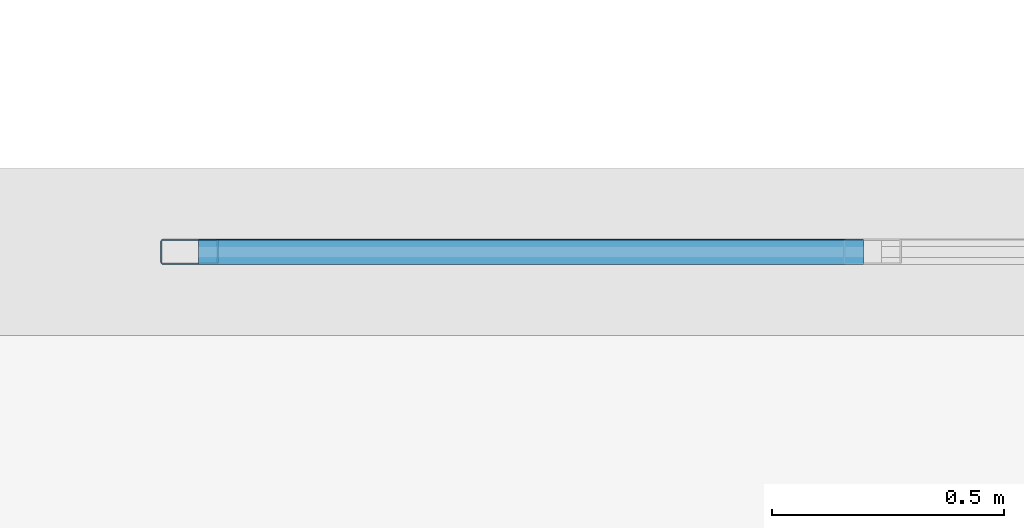
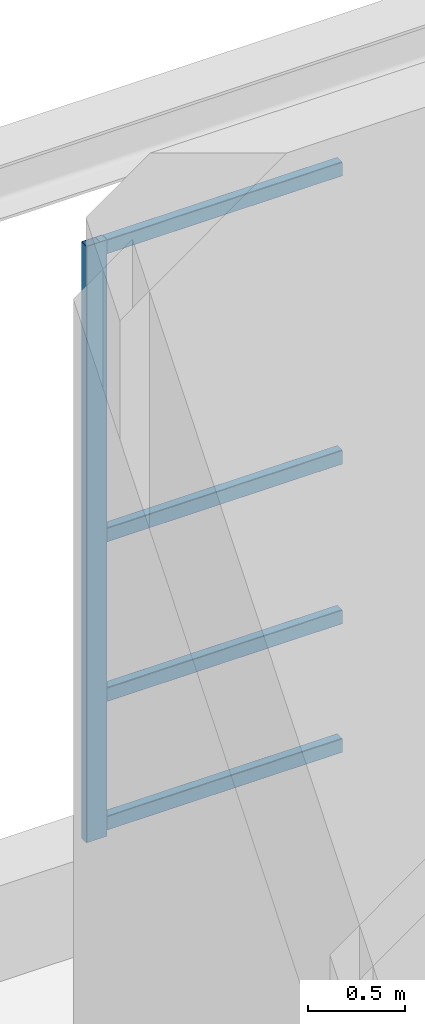
# One storey, part 93 of 197: 5 members, 1 element without a shape of its own.
"""IFC4 building model written with IfcOpenShell, lengths in metres."""

from ifc_helpers import new_model, si_unit, derived_unit, direction, frame, origin, origin_2d, place, context, subcontext, project, spatial, hollow_rectangle, extrude, material, layer, layer_set, material_profile, profile_set, type_object, element, aggregate, save


model = new_model("IFC4")

# Units and contexts
model_context = context("Model", 3, precision=1e-05, world=origin(), true_north=direction((0.0, 1.0)))
body_context = subcontext(model_context, "Body", "Model", "MODEL_VIEW")
ifc_project = project(units=[si_unit("LENGTHUNIT", "METRE"), si_unit("AREAUNIT", "SQUARE_METRE"), si_unit("VOLUMEUNIT", "CUBIC_METRE"), si_unit("PLANEANGLEUNIT", "RADIAN"), si_unit("MASSUNIT", "GRAM", prefix="KILO"), derived_unit("THERMALTRANSMITTANCEUNIT", [(si_unit("POWERUNIT", "WATT"), 1), (si_unit("LENGTHUNIT", "METRE"), -2), (si_unit("THERMODYNAMICTEMPERATUREUNIT", "KELVIN"), -1)])], contexts=[model_context])

# Site, building, storey
site_placement = place(None, origin())
site = spatial("IfcSite", under=ifc_project, at=site_placement, CompositionType="ELEMENT")
building_placement = place(site_placement, origin())
building = spatial("IfcBuilding", under=site, at=building_placement, Name="Almenara Railside Exhibition Hall", CompositionType="ELEMENT")
storey_placement = place(building_placement, frame((0.0, 0.0, 5.39990234375)))
storey = spatial("IfcBuildingStorey", under=building, at=storey_placement, Name="L01", CompositionType="ELEMENT", Elevation=5.39990234375)

# Curtain wall, members
ifc_material_1 = material(Name="Bronze-anodised aluminium and low-E double glazing", Category="aluminium")
ifc_layer = layer(ifc_material_1, 0.179931640625, Name="Bronze-anodised aluminium and low-E double glazing")
ifc_layer_set = layer_set([ifc_layer], Name="Bronze-anodised aluminium and low-E double glazing")
curtain_wall_type = type_object("IfcCurtainWallType", Name="Courtyard North Galeria Curtain Wall 3000x3700", PredefinedType="NOTDEFINED", material=ifc_layer_set)
curtain_wall_placement = place(storey_placement, origin())
curtain_wall = element("IfcCurtainWall", 1, at=curtain_wall_placement, inside=storey, type_object=curtain_wall_type, Name="Curtain wall CW-CY1-142", PredefinedType="NOTDEFINED")
ifc_material_2 = material(Name="Bronze-anodised aluminium", Category="aluminium")
ifc_material_profile_1 = material_profile(ifc_material_2, hollow_rectangle(XDim=0.054931640625, YDim=0.125, WallThickness=0.0029296875, InnerFilletRadius=0.0029296875, OuterFilletRadius=0.006103515625, at=origin_2d()), Name="ALU-MUL 55x125x3")
ifc_profile_set_1 = profile_set([ifc_material_profile_1], Name="Bronze-anodised aluminium")
member_type_1 = type_object("IfcMemberType", Name="Curtain Wall Mullion 55x125x3", PredefinedType="MULLION", material=ifc_profile_set_1)
member_1_placement = place(storey_placement, frame((127.327392578125, 108.0, 0.565185546875), z_axis=(0.0, 0.0, 1.0), x_axis=(0.0, 1.0, 0.0)))
member_1 = element("IfcMember", 2, at=member_1_placement, type_object=member_type_1, Name="CW-CY1-142 mullion 1", PredefinedType="MULLION", context=body_context, shape_type="SweptSolid", body=[
    extrude(hollow_rectangle(XDim=0.054931640625, YDim=0.125, WallThickness=0.0029296875, InnerFilletRadius=0.0029296875, OuterFilletRadius=0.006103515625, at=origin_2d()), origin(), (0.0, 0.0, 1.0), 3.73486328125),
])
ifc_material_profile_2 = material_profile(ifc_material_2, hollow_rectangle(XDim=0.054931640625, YDim=0.090087890625, WallThickness=0.0029296875, InnerFilletRadius=0.0029296875, OuterFilletRadius=0.006103515625, at=origin_2d()), Name="ALU-TRN 55x90x3")
ifc_profile_set_2 = profile_set([ifc_material_profile_2], Name="Bronze-anodised aluminium")
member_type_2 = type_object("IfcMemberType", Name="Curtain Wall Transom 55x90x3", PredefinedType="USERDEFINED", material=ifc_profile_set_2)
member_2_placement = place(storey_placement, frame((127.346923828125, 108.0, 0.64501953125), z_axis=(1.0, 0.0, 0.0), x_axis=(0.0, 1.0, 0.0)))
member_2 = element("IfcMember", 3, at=member_2_placement, type_object=member_type_2, Name="CW-CY1-142 transom 1.1", ObjectType="TRANSOM", PredefinedType="USERDEFINED", context=body_context, shape_type="SweptSolid", body=[
    extrude(hollow_rectangle(XDim=0.054931640625, YDim=0.090087890625, WallThickness=0.0029296875, InnerFilletRadius=0.0029296875, OuterFilletRadius=0.006103515625, at=origin_2d()), origin(), (0.0, 0.0, 1.0), 1.43359375),
])
member_3_placement = place(storey_placement, frame((127.346923828125, 108.0, 1.4501953125), z_axis=(1.0, 0.0, 0.0), x_axis=(0.0, 1.0, 0.0)))
member_3 = element("IfcMember", 4, at=member_3_placement, type_object=member_type_2, Name="CW-CY1-142 transom 1.2", ObjectType="TRANSOM", PredefinedType="USERDEFINED", context=body_context, shape_type="SweptSolid", body=[
    extrude(hollow_rectangle(XDim=0.054931640625, YDim=0.090087890625, WallThickness=0.0029296875, InnerFilletRadius=0.0029296875, OuterFilletRadius=0.006103515625, at=origin_2d()), origin(), (0.0, 0.0, 1.0), 1.43359375),
])
member_4_placement = place(storey_placement, frame((127.346923828125, 108.0, 2.4501953125), z_axis=(1.0, 0.0, 0.0), x_axis=(0.0, 1.0, 0.0)))
member_4 = element("IfcMember", 5, at=member_4_placement, type_object=member_type_2, Name="CW-CY1-142 transom 1.3", ObjectType="TRANSOM", PredefinedType="USERDEFINED", context=body_context, shape_type="SweptSolid", body=[
    extrude(hollow_rectangle(XDim=0.054931640625, YDim=0.090087890625, WallThickness=0.0029296875, InnerFilletRadius=0.0029296875, OuterFilletRadius=0.006103515625, at=origin_2d()), origin(), (0.0, 0.0, 1.0), 1.43359375),
])
member_5_placement = place(storey_placement, frame((127.346923828125, 108.0, 4.255126953125), z_axis=(1.0, 0.0, 0.0), x_axis=(0.0, 1.0, 0.0)))
member_5 = element("IfcMember", 6, at=member_5_placement, type_object=member_type_2, Name="CW-CY1-142 transom 1.4", ObjectType="TRANSOM", PredefinedType="USERDEFINED", context=body_context, shape_type="SweptSolid", body=[
    extrude(hollow_rectangle(XDim=0.054931640625, YDim=0.090087890625, WallThickness=0.0029296875, InnerFilletRadius=0.0029296875, OuterFilletRadius=0.006103515625, at=origin_2d()), origin(), (0.0, 0.0, 1.0), 1.43359375),
])
aggregate(curtain_wall, [member_1, member_2, member_3, member_4, member_5])

save(model, "model.ifc")
